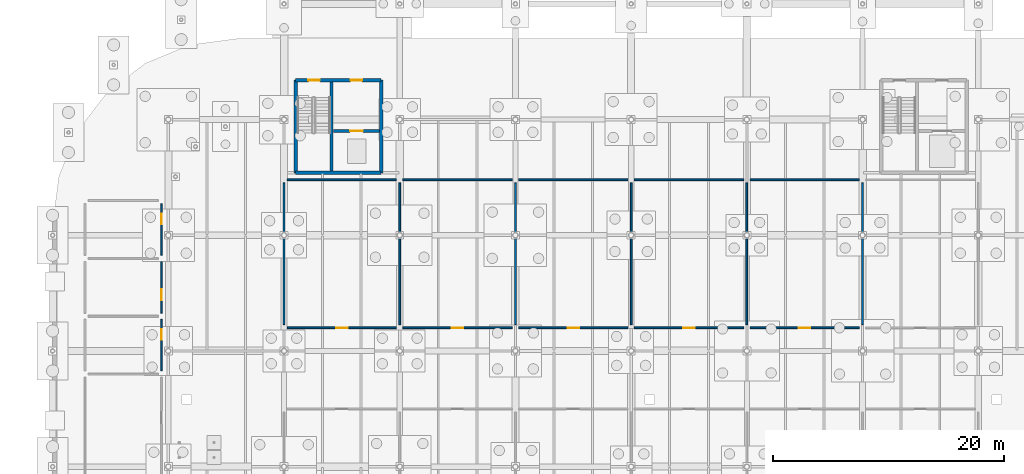
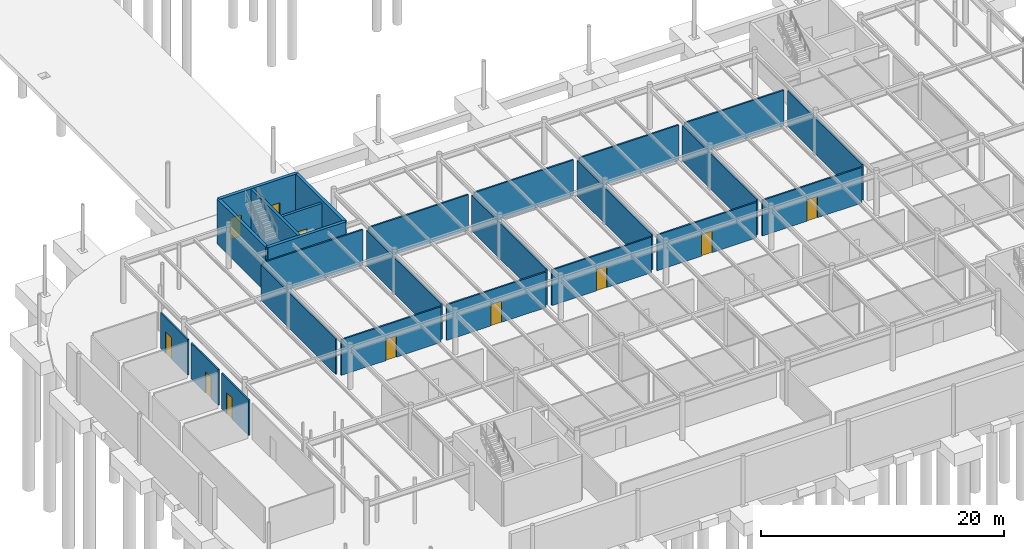
# One storey, part 63 of 75: 25 walls, 11 doors, 11 openings.
"""IFC4 building model written with IfcOpenShell, lengths in metres."""

from ifc_helpers import new_model, si_unit, derived_unit, direction, frame, frame_2d, origin, place, context, subcontext, project, spatial, rectangle, extrude, material, layer, layer_set, type_object, element, fill, save


model = new_model("IFC4")

# Units and contexts
model_context = context("Model", 3, precision=1e-05, world=origin(), true_north=direction((0.0, 1.0)))
body_context = subcontext(model_context, "Body", "Model", "MODEL_VIEW")
ifc_project = project(units=[si_unit("LENGTHUNIT", "METRE"), si_unit("AREAUNIT", "SQUARE_METRE"), si_unit("VOLUMEUNIT", "CUBIC_METRE"), si_unit("PLANEANGLEUNIT", "RADIAN"), si_unit("MASSUNIT", "GRAM", prefix="KILO"), derived_unit("THERMALTRANSMITTANCEUNIT", [(si_unit("POWERUNIT", "WATT"), 1), (si_unit("LENGTHUNIT", "METRE"), -2), (si_unit("THERMODYNAMICTEMPERATUREUNIT", "KELVIN"), -1)])], contexts=[model_context])

# Site, building, storey
site_placement = place(None, origin())
site = spatial("IfcSite", under=ifc_project, at=site_placement, CompositionType="ELEMENT")
building_placement = place(site_placement, origin())
building = spatial("IfcBuilding", under=site, at=building_placement, Name="Cinnabar Yard Market Hall", CompositionType="ELEMENT")
storey_placement = place(building_placement, frame((0.0, 0.0, -4.5)))
storey = spatial("IfcBuildingStorey", under=building, at=storey_placement, Name="B1", CompositionType="ELEMENT", Elevation=-4.5)

# Wall, opening, door
ifc_material_1 = material(Name="Moisture-resistant tiled service wall")
ifc_layer_1 = layer(ifc_material_1, 0.139892578125)
ifc_layer_set_1 = layer_set([ifc_layer_1], Name="Moisture-resistant tiled service wall")
wall_type_1 = type_object("IfcWallType", Name="WL-PT140", PredefinedType="PLUMBINGWALL", material=ifc_layer_set_1)
wall_1_placement = place(storey_placement, frame((75.39990234375, 42.280029296875, 0.0), z_axis=(0.0, 0.0, 1.0), x_axis=(0.0, 1.0, 0.0)))
wall_1 = element("IfcWall", 1, at=wall_1_placement, inside=storey, type_object=wall_type_1, Name="Partition Basement Male WC east", PredefinedType="PLUMBINGWALL", context=body_context, shape_type="SweptSolid", body=[
    extrude(rectangle(XDim=4.43994140625, YDim=0.139892578125, at=frame_2d((2.219970703125, 0.0), x_axis=(1.0, 0.0))), origin(), (0.0, 0.0, 1.0), 3.580078125),
])
opening_1_placement = place(wall_1_placement, frame((2.67529296875, 0.0, 0.0)))
opening_1 = element("IfcOpeningElement", 2, at=opening_1_placement, cuts=wall_1, Name="Opening ID-103", PredefinedType="OPENING", context=body_context, shape_type="SweptSolid", body=[
    extrude(rectangle(XDim=0.919921875, YDim=2.14990234375, at=frame_2d((0.4599609375, 1.074951171875), x_axis=(1.0, 0.0))), frame((0.0, 0.079833984375, 0.0), z_axis=(0.0, -1.0, 0.0), x_axis=(1.0, 0.0, 0.0)), (0.0, 0.0, 1.0), 0.159912109375),
])
ifc_material_2 = material(Name="Solid-core spotted gum timber", Category="wood")
door_type_1 = type_object("IfcDoorType", Name="DR-D07", OperationType="NOTDEFINED", PredefinedType="DOOR", material=ifc_material_2)
door_1_placement = place(opening_1_placement, origin())
door_1 = element("IfcDoor", 3, at=door_1_placement, inside=storey, type_object=door_type_1, Name="Interior Door ID-103", OperationType="SINGLE_SWING_RIGHT", OverallHeight=2.14990234375, OverallWidth=0.919921875, PredefinedType="DOOR", context=body_context, shape_type="SweptSolid", body=[
    extrude(rectangle(XDim=0.919921875, YDim=2.14990234375, at=frame_2d((0.4599609375, 1.074951171875), x_axis=(1.0, 0.0))), frame((0.0, 0.02490234375, 0.0), z_axis=(0.0, -1.0, 0.0), x_axis=(1.0, 0.0, 0.0)), (0.0, 0.0, 1.0), 0.050048828125),
])
fill(opening_1, door_1)

wall_2_placement = place(storey_placement, frame((75.39990234375, 47.280029296875, 0.0), z_axis=(0.0, 0.0, 1.0), x_axis=(0.0, 1.0, 0.0)))
wall_2 = element("IfcWall", 4, at=wall_2_placement, inside=storey, type_object=wall_type_1, Name="Partition Basement Female WC east", PredefinedType="PLUMBINGWALL", context=body_context, shape_type="SweptSolid", body=[
    extrude(rectangle(XDim=4.43994140625, YDim=0.139892578125, at=frame_2d((2.219970703125, 0.0), x_axis=(1.0, 0.0))), origin(), (0.0, 0.0, 1.0), 3.580078125),
])
opening_2_placement = place(wall_2_placement, frame((1.11669921875, 0.0, 0.0)))
opening_2 = element("IfcOpeningElement", 5, at=opening_2_placement, cuts=wall_2, Name="Opening ID-104", PredefinedType="OPENING", context=body_context, shape_type="SweptSolid", body=[
    extrude(rectangle(XDim=0.949951171875, YDim=2.14990234375, at=frame_2d((0.47509765625, 1.074951171875), x_axis=(1.0, 0.0))), frame((0.0, 0.079833984375, 0.0), z_axis=(0.0, -1.0, 0.0), x_axis=(1.0, 0.0, 0.0)), (0.0, 0.0, 1.0), 0.159912109375),
])
door_type_2 = type_object("IfcDoorType", Name="DR-D06", OperationType="NOTDEFINED", PredefinedType="DOOR", material=ifc_material_2)
door_2_placement = place(opening_2_placement, origin())
door_2 = element("IfcDoor", 6, at=door_2_placement, inside=storey, type_object=door_type_2, Name="Interior Door ID-104", OperationType="SINGLE_SWING_LEFT", OverallHeight=2.14990234375, OverallWidth=0.949951171875, PredefinedType="DOOR", context=body_context, shape_type="SweptSolid", body=[
    extrude(rectangle(XDim=0.949951171875, YDim=2.14990234375, at=frame_2d((0.47509765625, 1.074951171875), x_axis=(1.0, 0.0))), frame((0.0, 0.02490234375, 0.0), z_axis=(0.0, -1.0, 0.0), x_axis=(1.0, 0.0, 0.0)), (0.0, 0.0, 1.0), 0.050048828125),
])
fill(opening_2, door_2)

wall_3_placement = place(storey_placement, frame((75.39990234375, 52.280029296875, 0.0), z_axis=(0.0, 0.0, 1.0), x_axis=(0.0, 1.0, 0.0)))
wall_3 = element("IfcWall", 7, at=wall_3_placement, inside=storey, type_object=wall_type_1, Name="Partition Basement Accessible WC east", PredefinedType="PLUMBINGWALL", context=body_context, shape_type="SweptSolid", body=[
    extrude(rectangle(XDim=4.43994140625, YDim=0.139892578125, at=frame_2d((2.219970703125, 0.0), x_axis=(1.0, 0.0))), origin(), (0.0, 0.0, 1.0), 3.580078125),
])
opening_3_placement = place(wall_3_placement, frame((2.67529296875, 0.0, 0.0)))
opening_3 = element("IfcOpeningElement", 8, at=opening_3_placement, cuts=wall_3, Name="Opening ID-105", PredefinedType="OPENING", context=body_context, shape_type="SweptSolid", body=[
    extrude(rectangle(XDim=0.919921875, YDim=2.14990234375, at=frame_2d((0.4599609375, 1.074951171875), x_axis=(1.0, 0.0))), frame((0.0, 0.079833984375, 0.0), z_axis=(0.0, -1.0, 0.0), x_axis=(1.0, 0.0, 0.0)), (0.0, 0.0, 1.0), 0.159912109375),
])
door_3_placement = place(opening_3_placement, origin())
door_3 = element("IfcDoor", 9, at=door_3_placement, inside=storey, type_object=door_type_1, Name="Interior Door ID-105", OperationType="SINGLE_SWING_RIGHT", OverallHeight=2.14990234375, OverallWidth=0.919921875, PredefinedType="DOOR", context=body_context, shape_type="SweptSolid", body=[
    extrude(rectangle(XDim=0.919921875, YDim=2.14990234375, at=frame_2d((0.4599609375, 1.074951171875), x_axis=(1.0, 0.0))), frame((0.0, 0.02490234375, 0.0), z_axis=(0.0, -1.0, 0.0), x_axis=(1.0, 0.0, 0.0)), (0.0, 0.0, 1.0), 0.050048828125),
])
fill(opening_3, door_3)

ifc_material_3 = material(Name="Fire-rated steel-stud plasterboard", Category="steel")
ifc_layer_2 = layer(ifc_material_3, 0.14990234375)
ifc_layer_set_2 = layer_set([ifc_layer_2], Name="Fire-rated steel-stud plasterboard")
wall_type_2 = type_object("IfcWallType", Name="WL-PT150", PredefinedType="PARTITIONING", material=ifc_layer_set_2)
wall_4_placement = place(storey_placement, frame((86.280029296875, 46.0, 0.0), z_axis=(0.0, 0.0, 1.0), x_axis=(1.0, 0.0, 0.0)))
wall_4 = element("IfcWall", 10, at=wall_4_placement, inside=storey, type_object=wall_type_2, Name="Partition Chilled Produce Cold Store B11 south", PredefinedType="PARTITIONING", context=body_context, shape_type="SweptSolid", body=[
    extrude(rectangle(XDim=9.43994140625, YDim=0.14990234375, at=frame_2d((4.719970703125, 0.0), x_axis=(1.0, 0.0))), origin(), (0.0, 0.0, 1.0), 3.580078125),
])
opening_4_placement = place(wall_4_placement, frame((4.219970703125, 0.0, 0.0)))
opening_4 = element("IfcOpeningElement", 11, at=opening_4_placement, cuts=wall_4, Name="Opening ID-096", PredefinedType="OPENING", context=body_context, shape_type="SweptSolid", body=[
    extrude(rectangle(XDim=1.0, YDim=2.14990234375, at=frame_2d((0.5, 1.074951171875), x_axis=(1.0, 0.0))), frame((0.0, 0.0849609375, 0.0), z_axis=(0.0, -1.0, 0.0), x_axis=(1.0, 0.0, 0.0)), (0.0, 0.0, 1.0), 0.169921875),
])
door_type_3 = type_object("IfcDoorType", Name="DR-D05", OperationType="NOTDEFINED", PredefinedType="DOOR", material=ifc_material_2)
door_4_placement = place(opening_4_placement, origin())
door_4 = element("IfcDoor", 12, at=door_4_placement, inside=storey, type_object=door_type_3, Name="Interior Door ID-096", OperationType="SINGLE_SWING_LEFT", OverallHeight=2.14990234375, OverallWidth=1.0, PredefinedType="DOOR", context=body_context, shape_type="SweptSolid", body=[
    extrude(rectangle(XDim=1.0, YDim=2.14990234375, at=frame_2d((0.5, 1.074951171875), x_axis=(1.0, 0.0))), frame((0.0, 0.02490234375, 0.0), z_axis=(0.0, -1.0, 0.0), x_axis=(1.0, 0.0, 0.0)), (0.0, 0.0, 1.0), 0.050048828125),
])
fill(opening_4, door_4)

# Walls
wall_5_placement = place(storey_placement, frame((96.0, 46.280029296875, 0.0), z_axis=(0.0, 0.0, 1.0), x_axis=(0.0, 1.0, 0.0)))
element("IfcWall", 13, at=wall_5_placement, inside=storey, type_object=wall_type_2, Name="Partition Chilled Produce Cold Store B11 east", PredefinedType="PARTITIONING", context=body_context, shape_type="SweptSolid", body=[
    extrude(rectangle(XDim=12.239990234375, YDim=0.14990234375, at=frame_2d((6.1201171875, 0.0), x_axis=(1.0, 0.0))), origin(), (0.0, 0.0, 1.0), 3.580078125),
])
wall_6_placement = place(storey_placement, frame((95.719970703125, 58.800048828125, 0.0), z_axis=(0.0, 0.0, 1.0), x_axis=(-1.0, 0.0, 0.0)))
element("IfcWall", 14, at=wall_6_placement, inside=storey, type_object=wall_type_2, Name="Partition Chilled Produce Cold Store B11 north", PredefinedType="PARTITIONING", context=body_context, shape_type="SweptSolid", body=[
    extrude(rectangle(XDim=9.43994140625, YDim=0.14990234375, at=frame_2d((4.719970703125, 0.0), x_axis=(1.0, 0.0))), origin(), (0.0, 0.0, 1.0), 3.580078125),
])
wall_7_placement = place(storey_placement, frame((86.0, 58.52001953125, 0.0), z_axis=(0.0, 0.0, 1.0), x_axis=(0.0, -1.0, 0.0)))
element("IfcWall", 15, at=wall_7_placement, inside=storey, type_object=wall_type_2, Name="Partition Chilled Produce Cold Store B11 west", PredefinedType="PARTITIONING", context=body_context, shape_type="SweptSolid", body=[
    extrude(rectangle(XDim=12.239990234375, YDim=0.14990234375, at=frame_2d((6.1201171875, 0.0), x_axis=(1.0, 0.0))), origin(), (0.0, 0.0, 1.0), 3.580078125),
])

# Wall, opening, door
wall_8_placement = place(storey_placement, frame((96.280029296875, 46.0, 0.0), z_axis=(0.0, 0.0, 1.0), x_axis=(1.0, 0.0, 0.0)))
wall_8 = element("IfcWall", 16, at=wall_8_placement, inside=storey, type_object=wall_type_2, Name="Partition Meat and Poultry Cold Store B12 south", PredefinedType="PARTITIONING", context=body_context, shape_type="SweptSolid", body=[
    extrude(rectangle(XDim=9.43994140625, YDim=0.14990234375, at=frame_2d((4.719970703125, 0.0), x_axis=(1.0, 0.0))), origin(), (0.0, 0.0, 1.0), 3.580078125),
])
opening_5_placement = place(wall_8_placement, frame((4.219970703125, 0.0, 0.0)))
opening_5 = element("IfcOpeningElement", 17, at=opening_5_placement, cuts=wall_8, Name="Opening ID-097", PredefinedType="OPENING", context=body_context, shape_type="SweptSolid", body=[
    extrude(rectangle(XDim=1.0, YDim=2.14990234375, at=frame_2d((0.5, 1.074951171875), x_axis=(1.0, 0.0))), frame((0.0, 0.0849609375, 0.0), z_axis=(0.0, -1.0, 0.0), x_axis=(1.0, 0.0, 0.0)), (0.0, 0.0, 1.0), 0.169921875),
])
door_5_placement = place(opening_5_placement, origin())
door_5 = element("IfcDoor", 18, at=door_5_placement, inside=storey, type_object=door_type_3, Name="Interior Door ID-097", OperationType="SINGLE_SWING_RIGHT", OverallHeight=2.14990234375, OverallWidth=1.0, PredefinedType="DOOR", context=body_context, shape_type="SweptSolid", body=[
    extrude(rectangle(XDim=1.0, YDim=2.14990234375, at=frame_2d((0.5, 1.074951171875), x_axis=(1.0, 0.0))), frame((0.0, 0.02490234375, 0.0), z_axis=(0.0, -1.0, 0.0), x_axis=(1.0, 0.0, 0.0)), (0.0, 0.0, 1.0), 0.050048828125),
])
fill(opening_5, door_5)

# Walls
wall_9_placement = place(storey_placement, frame((106.0, 46.280029296875, 0.0), z_axis=(0.0, 0.0, 1.0), x_axis=(0.0, 1.0, 0.0)))
element("IfcWall", 19, at=wall_9_placement, inside=storey, type_object=wall_type_2, Name="Partition Meat and Poultry Cold Store B12 east", PredefinedType="PARTITIONING", context=body_context, shape_type="SweptSolid", body=[
    extrude(rectangle(XDim=12.239990234375, YDim=0.14990234375, at=frame_2d((6.1201171875, 0.0), x_axis=(1.0, 0.0))), origin(), (0.0, 0.0, 1.0), 3.580078125),
])
wall_10_placement = place(storey_placement, frame((105.719970703125, 58.800048828125, 0.0), z_axis=(0.0, 0.0, 1.0), x_axis=(-1.0, 0.0, 0.0)))
element("IfcWall", 20, at=wall_10_placement, inside=storey, type_object=wall_type_2, Name="Partition Meat and Poultry Cold Store B12 north", PredefinedType="PARTITIONING", context=body_context, shape_type="SweptSolid", body=[
    extrude(rectangle(XDim=9.43994140625, YDim=0.14990234375, at=frame_2d((4.719970703125, 0.0), x_axis=(1.0, 0.0))), origin(), (0.0, 0.0, 1.0), 3.580078125),
])

# Wall, opening, door
wall_11_placement = place(storey_placement, frame((106.280029296875, 46.0, 0.0), z_axis=(0.0, 0.0, 1.0), x_axis=(1.0, 0.0, 0.0)))
wall_11 = element("IfcWall", 21, at=wall_11_placement, inside=storey, type_object=wall_type_2, Name="Partition Seafood Ice and Chiller Cold Store B13 south", PredefinedType="PARTITIONING", context=body_context, shape_type="SweptSolid", body=[
    extrude(rectangle(XDim=9.43994140625, YDim=0.14990234375, at=frame_2d((4.719970703125, 0.0), x_axis=(1.0, 0.0))), origin(), (0.0, 0.0, 1.0), 3.580078125),
])
opening_6_placement = place(wall_11_placement, frame((4.219970703125, 0.0, 0.0)))
opening_6 = element("IfcOpeningElement", 22, at=opening_6_placement, cuts=wall_11, Name="Opening ID-098", PredefinedType="OPENING", context=body_context, shape_type="SweptSolid", body=[
    extrude(rectangle(XDim=1.0, YDim=2.14990234375, at=frame_2d((0.5, 1.074951171875), x_axis=(1.0, 0.0))), frame((0.0, 0.0849609375, 0.0), z_axis=(0.0, -1.0, 0.0), x_axis=(1.0, 0.0, 0.0)), (0.0, 0.0, 1.0), 0.169921875),
])
door_6_placement = place(opening_6_placement, origin())
door_6 = element("IfcDoor", 23, at=door_6_placement, inside=storey, type_object=door_type_3, Name="Interior Door ID-098", OperationType="SINGLE_SWING_LEFT", OverallHeight=2.14990234375, OverallWidth=1.0, PredefinedType="DOOR", context=body_context, shape_type="SweptSolid", body=[
    extrude(rectangle(XDim=1.0, YDim=2.14990234375, at=frame_2d((0.5, 1.074951171875), x_axis=(1.0, 0.0))), frame((0.0, 0.02490234375, 0.0), z_axis=(0.0, -1.0, 0.0), x_axis=(1.0, 0.0, 0.0)), (0.0, 0.0, 1.0), 0.050048828125),
])
fill(opening_6, door_6)

# Walls
wall_12_placement = place(storey_placement, frame((116.0, 46.280029296875, 0.0), z_axis=(0.0, 0.0, 1.0), x_axis=(0.0, 1.0, 0.0)))
element("IfcWall", 24, at=wall_12_placement, inside=storey, type_object=wall_type_2, Name="Partition Seafood Ice and Chiller Cold Store B13 east", PredefinedType="PARTITIONING", context=body_context, shape_type="SweptSolid", body=[
    extrude(rectangle(XDim=12.239990234375, YDim=0.14990234375, at=frame_2d((6.1201171875, 0.0), x_axis=(1.0, 0.0))), origin(), (0.0, 0.0, 1.0), 3.580078125),
])
wall_13_placement = place(storey_placement, frame((115.719970703125, 58.800048828125, 0.0), z_axis=(0.0, 0.0, 1.0), x_axis=(-1.0, 0.0, 0.0)))
element("IfcWall", 25, at=wall_13_placement, inside=storey, type_object=wall_type_2, Name="Partition Seafood Ice and Chiller Cold Store B13 north", PredefinedType="PARTITIONING", context=body_context, shape_type="SweptSolid", body=[
    extrude(rectangle(XDim=9.43994140625, YDim=0.14990234375, at=frame_2d((4.719970703125, 0.0), x_axis=(1.0, 0.0))), origin(), (0.0, 0.0, 1.0), 3.580078125),
])

# Wall, opening, door
wall_14_placement = place(storey_placement, frame((116.280029296875, 46.0, 0.0), z_axis=(0.0, 0.0, 1.0), x_axis=(1.0, 0.0, 0.0)))
wall_14 = element("IfcWall", 26, at=wall_14_placement, inside=storey, type_object=wall_type_2, Name="Partition Dairy and Ferments Cold Store B14 south", PredefinedType="PARTITIONING", context=body_context, shape_type="SweptSolid", body=[
    extrude(rectangle(XDim=9.43994140625, YDim=0.14990234375, at=frame_2d((4.719970703125, 0.0), x_axis=(1.0, 0.0))), origin(), (0.0, 0.0, 1.0), 3.580078125),
])
opening_7_placement = place(wall_14_placement, frame((4.219970703125, 0.0, 0.0)))
opening_7 = element("IfcOpeningElement", 27, at=opening_7_placement, cuts=wall_14, Name="Opening ID-099", PredefinedType="OPENING", context=body_context, shape_type="SweptSolid", body=[
    extrude(rectangle(XDim=1.0, YDim=2.14990234375, at=frame_2d((0.5, 1.074951171875), x_axis=(1.0, 0.0))), frame((0.0, 0.0849609375, 0.0), z_axis=(0.0, -1.0, 0.0), x_axis=(1.0, 0.0, 0.0)), (0.0, 0.0, 1.0), 0.169921875),
])
door_7_placement = place(opening_7_placement, origin())
door_7 = element("IfcDoor", 28, at=door_7_placement, inside=storey, type_object=door_type_3, Name="Interior Door ID-099", OperationType="SINGLE_SWING_RIGHT", OverallHeight=2.14990234375, OverallWidth=1.0, PredefinedType="DOOR", context=body_context, shape_type="SweptSolid", body=[
    extrude(rectangle(XDim=1.0, YDim=2.14990234375, at=frame_2d((0.5, 1.074951171875), x_axis=(1.0, 0.0))), frame((0.0, 0.02490234375, 0.0), z_axis=(0.0, -1.0, 0.0), x_axis=(1.0, 0.0, 0.0)), (0.0, 0.0, 1.0), 0.050048828125),
])
fill(opening_7, door_7)

# Walls
wall_15_placement = place(storey_placement, frame((126.0, 46.280029296875, 0.0), z_axis=(0.0, 0.0, 1.0), x_axis=(0.0, 1.0, 0.0)))
element("IfcWall", 29, at=wall_15_placement, inside=storey, type_object=wall_type_2, Name="Partition Dairy and Ferments Cold Store B14 east", PredefinedType="PARTITIONING", context=body_context, shape_type="SweptSolid", body=[
    extrude(rectangle(XDim=12.239990234375, YDim=0.14990234375, at=frame_2d((6.1201171875, 0.0), x_axis=(1.0, 0.0))), origin(), (0.0, 0.0, 1.0), 3.580078125),
])
wall_16_placement = place(storey_placement, frame((125.719970703125, 58.800048828125, 0.0), z_axis=(0.0, 0.0, 1.0), x_axis=(-1.0, 0.0, 0.0)))
element("IfcWall", 30, at=wall_16_placement, inside=storey, type_object=wall_type_2, Name="Partition Dairy and Ferments Cold Store B14 north", PredefinedType="PARTITIONING", context=body_context, shape_type="SweptSolid", body=[
    extrude(rectangle(XDim=9.43994140625, YDim=0.14990234375, at=frame_2d((4.719970703125, 0.0), x_axis=(1.0, 0.0))), origin(), (0.0, 0.0, 1.0), 3.580078125),
])

# Wall, opening, door
wall_17_placement = place(storey_placement, frame((126.280029296875, 46.0, 0.0), z_axis=(0.0, 0.0, 1.0), x_axis=(1.0, 0.0, 0.0)))
wall_17 = element("IfcWall", 31, at=wall_17_placement, inside=storey, type_object=wall_type_2, Name="Partition Deep Freeze Cold Store B15 south", PredefinedType="PARTITIONING", context=body_context, shape_type="SweptSolid", body=[
    extrude(rectangle(XDim=9.43994140625, YDim=0.14990234375, at=frame_2d((4.719970703125, 0.0), x_axis=(1.0, 0.0))), origin(), (0.0, 0.0, 1.0), 3.580078125),
])
opening_8_placement = place(wall_17_placement, frame((4.219970703125, 0.0, 0.0)))
opening_8 = element("IfcOpeningElement", 32, at=opening_8_placement, cuts=wall_17, Name="Opening ID-100", PredefinedType="OPENING", context=body_context, shape_type="SweptSolid", body=[
    extrude(rectangle(XDim=1.0, YDim=2.14990234375, at=frame_2d((0.5, 1.074951171875), x_axis=(1.0, 0.0))), frame((0.0, 0.0849609375, 0.0), z_axis=(0.0, -1.0, 0.0), x_axis=(1.0, 0.0, 0.0)), (0.0, 0.0, 1.0), 0.169921875),
])
door_8_placement = place(opening_8_placement, origin())
door_8 = element("IfcDoor", 33, at=door_8_placement, inside=storey, type_object=door_type_3, Name="Interior Door ID-100", OperationType="SINGLE_SWING_LEFT", OverallHeight=2.14990234375, OverallWidth=1.0, PredefinedType="DOOR", context=body_context, shape_type="SweptSolid", body=[
    extrude(rectangle(XDim=1.0, YDim=2.14990234375, at=frame_2d((0.5, 1.074951171875), x_axis=(1.0, 0.0))), frame((0.0, 0.02490234375, 0.0), z_axis=(0.0, -1.0, 0.0), x_axis=(1.0, 0.0, 0.0)), (0.0, 0.0, 1.0), 0.050048828125),
])
fill(opening_8, door_8)

# Walls
wall_18_placement = place(storey_placement, frame((136.0, 46.280029296875, 0.0), z_axis=(0.0, 0.0, 1.0), x_axis=(0.0, 1.0, 0.0)))
element("IfcWall", 34, at=wall_18_placement, inside=storey, type_object=wall_type_2, Name="Partition Deep Freeze Cold Store B15 east", PredefinedType="PARTITIONING", context=body_context, shape_type="SweptSolid", body=[
    extrude(rectangle(XDim=12.239990234375, YDim=0.14990234375, at=frame_2d((6.1201171875, 0.0), x_axis=(1.0, 0.0))), origin(), (0.0, 0.0, 1.0), 3.580078125),
])
wall_19_placement = place(storey_placement, frame((135.719970703125, 58.800048828125, 0.0), z_axis=(0.0, 0.0, 1.0), x_axis=(-1.0, 0.0, 0.0)))
element("IfcWall", 35, at=wall_19_placement, inside=storey, type_object=wall_type_2, Name="Partition Deep Freeze Cold Store B15 north", PredefinedType="PARTITIONING", context=body_context, shape_type="SweptSolid", body=[
    extrude(rectangle(XDim=9.43994140625, YDim=0.14990234375, at=frame_2d((4.719970703125, 0.0), x_axis=(1.0, 0.0))), origin(), (0.0, 0.0, 1.0), 3.580078125),
])
ifc_material_4 = material(Name="Concrete 40 MPa", Category="concrete")
ifc_layer_3 = layer(ifc_material_4, 0.300048828125)
ifc_layer_set_3 = layer_set([ifc_layer_3], Name="Concrete 40 MPa")
wall_type_3 = type_object("IfcWallType", Name="WL-W-CORE", PredefinedType="SHEAR", material=ifc_layer_set_3)
for number, where, z_axis, x_axis, name in (
    (36, (87.0, 67.39990234375, 0.0), (0.0, 0.0, 1.0), (0.0, -1.0, 0.0), "Core C3 West Shear Wall B1"),
    (37, (94.39990234375, 59.39990234375, 0.0), (0.0, 0.0, 1.0), (0.0, 1.0, 0.0), "Core C3 East Shear Wall B1"),
):
    element("IfcWall", number, at=place(storey_placement, frame(where, z_axis=z_axis, x_axis=x_axis)), inside=storey, type_object=wall_type_3, Name=name, PredefinedType="SHEAR", context=body_context, shape_type="SweptSolid", body=[
        extrude(rectangle(XDim=8.0, YDim=0.300048828125, at=frame_2d((4.0, 0.0), x_axis=(1.0, 0.0))), origin(), (0.0, 0.0, 1.0), 4.5),
    ])
wall_20_placement = place(storey_placement, frame((87.0, 59.39990234375, 0.0), z_axis=(0.0, 0.0, 1.0), x_axis=(1.0, 0.0, 0.0)))
element("IfcWall", 38, at=wall_20_placement, inside=storey, type_object=wall_type_3, Name="Core C3 South Shear Wall B1", PredefinedType="SHEAR", context=body_context, shape_type="SweptSolid", body=[
    extrude(rectangle(XDim=7.39990234375, YDim=0.300048828125, at=frame_2d((3.699951171875, 0.0), x_axis=(1.0, 0.0))), origin(), (0.0, 0.0, 1.0), 4.5),
])

# Wall, openings, doors
wall_21_placement = place(storey_placement, frame((94.39990234375, 67.39990234375, 0.0), z_axis=(0.0, 0.0, 1.0), x_axis=(-1.0, 0.0, 0.0)))
wall_21 = element("IfcWall", 39, at=wall_21_placement, inside=storey, type_object=wall_type_3, Name="Core C3 North Shear Wall B1", PredefinedType="SHEAR", context=body_context, shape_type="SweptSolid", body=[
    extrude(rectangle(XDim=7.39990234375, YDim=0.300048828125, at=frame_2d((3.699951171875, 0.0), x_axis=(1.0, 0.0))), origin(), (0.0, 0.0, 1.0), 4.5),
])
opening_9_placement = place(wall_21_placement, frame((1.64990234375, 0.0, 0.0)))
opening_9 = element("IfcOpeningElement", 40, at=opening_9_placement, cuts=wall_21, Name="Opening CD-017", PredefinedType="OPENING", context=body_context, shape_type="SweptSolid", body=[
    extrude(rectangle(XDim=1.0, YDim=2.14990234375, at=frame_2d((0.5, 1.074951171875), x_axis=(1.0, 0.0))), frame((0.0, 0.159912109375, 0.0), z_axis=(0.0, -1.0, 0.0), x_axis=(1.0, 0.0, 0.0)), (0.0, 0.0, 1.0), 0.320068359375),
])
opening_10_placement = place(wall_21_placement, frame((5.300048828125, 0.0, 0.0)))
opening_10 = element("IfcOpeningElement", 41, at=opening_10_placement, cuts=wall_21, Name="Opening CD-018", PredefinedType="OPENING", context=body_context, shape_type="SweptSolid", body=[
    extrude(rectangle(XDim=1.0, YDim=2.14990234375, at=frame_2d((0.5, 1.074951171875), x_axis=(1.0, 0.0))), frame((0.0, 0.159912109375, 0.0), z_axis=(0.0, -1.0, 0.0), x_axis=(1.0, 0.0, 0.0)), (0.0, 0.0, 1.0), 0.320068359375),
])
door_9_placement = place(opening_9_placement, origin())
door_9 = element("IfcDoor", 42, at=door_9_placement, inside=storey, type_object=door_type_3, Name="Core Door CD-017", OperationType="SINGLE_SWING_RIGHT", OverallHeight=2.14990234375, OverallWidth=1.0, PredefinedType="DOOR", context=body_context, shape_type="SweptSolid", body=[
    extrude(rectangle(XDim=1.0, YDim=2.14990234375, at=frame_2d((0.5, 1.074951171875), x_axis=(1.0, 0.0))), frame((0.0, 0.02490234375, 0.0), z_axis=(0.0, -1.0, 0.0), x_axis=(1.0, 0.0, 0.0)), (0.0, 0.0, 1.0), 0.050048828125),
])
fill(opening_9, door_9)
door_10_placement = place(opening_10_placement, origin())
door_10 = element("IfcDoor", 43, at=door_10_placement, inside=storey, type_object=door_type_3, Name="Core Door CD-018", OperationType="SINGLE_SWING_LEFT", OverallHeight=2.14990234375, OverallWidth=1.0, PredefinedType="DOOR", context=body_context, shape_type="SweptSolid", body=[
    extrude(rectangle(XDim=1.0, YDim=2.14990234375, at=frame_2d((0.5, 1.074951171875), x_axis=(1.0, 0.0))), frame((0.0, 0.02490234375, 0.0), z_axis=(0.0, -1.0, 0.0), x_axis=(1.0, 0.0, 0.0)), (0.0, 0.0, 1.0), 0.050048828125),
])
fill(opening_10, door_10)

# Wall
ifc_layer_4 = layer(ifc_material_4, 0.25)
ifc_layer_set_4 = layer_set([ifc_layer_4], Name="Concrete 40 MPa")
wall_type_4 = type_object("IfcWallType", Name="WL-W-SHAFT", PredefinedType="SHEAR", material=ifc_layer_set_4)
wall_22_placement = place(storey_placement, frame((90.114990234375, 59.550048828125, 0.0), z_axis=(0.0, 0.0, 1.0), x_axis=(0.0, 1.0, 0.0)))
element("IfcWall", 44, at=wall_22_placement, inside=storey, type_object=wall_type_4, Name="Core C3 Shaft Divider B1", PredefinedType="SHEAR", context=body_context, shape_type="SweptSolid", body=[
    extrude(rectangle(XDim=7.699951171875, YDim=0.25, at=frame_2d((3.85009765625, 0.0), x_axis=(1.0, 0.0))), origin(), (0.0, 0.0, 1.0), 4.5),
])

# Wall, opening, door
wall_23_placement = place(storey_placement, frame((90.280029296875, 63.02001953125, 0.0), z_axis=(0.0, 0.0, 1.0), x_axis=(1.0, 0.0, 0.0)))
wall_23 = element("IfcWall", 45, at=wall_23_placement, inside=storey, type_object=wall_type_4, Name="Core C3 Lift Front Wall B1", PredefinedType="SHEAR", context=body_context, shape_type="SweptSolid", body=[
    extrude(rectangle(XDim=3.969970703125, YDim=0.25, at=frame_2d((1.98486328125, 0.0), x_axis=(1.0, 0.0))), origin(), (0.0, 0.0, 1.0), 4.199951171875),
])
opening_11_placement = place(wall_23_placement, frame((1.43505859375, 0.0, 0.0)))
opening_11 = element("IfcOpeningElement", 46, at=opening_11_placement, cuts=wall_23, Name="Opening LD-LP-02-B1", PredefinedType="OPENING", context=body_context, shape_type="SweptSolid", body=[
    extrude(rectangle(XDim=1.10009765625, YDim=2.14990234375, at=frame_2d((0.550048828125, 1.074951171875), x_axis=(1.0, 0.0))), frame((0.0, 0.135009765625, 0.0), z_axis=(0.0, -1.0, 0.0), x_axis=(1.0, 0.0, 0.0)), (0.0, 0.0, 1.0), 0.27001953125),
])
ifc_material_5 = material(Name="Brushed stainless steel landing door", Category="steel")
door_type_4 = type_object("IfcDoorType", Name="DR-LD01", OperationType="NOTDEFINED", PredefinedType="DOOR", material=ifc_material_5)
door_11_placement = place(opening_11_placement, origin())
door_11 = element("IfcDoor", 47, at=door_11_placement, inside=storey, type_object=door_type_4, Name="Lift Landing Door LD-LP-02-B1", OperationType="SLIDING_TO_LEFT", OverallHeight=2.14990234375, OverallWidth=1.10009765625, PredefinedType="DOOR", context=body_context, shape_type="SweptSolid", body=[
    extrude(rectangle(XDim=1.10009765625, YDim=2.14990234375, at=frame_2d((0.550048828125, 1.074951171875), x_axis=(1.0, 0.0))), frame((0.0, 0.02490234375, 0.0), z_axis=(0.0, -1.0, 0.0), x_axis=(1.0, 0.0, 0.0)), (0.0, 0.0, 1.0), 0.050048828125),
])
fill(opening_11, door_11)

save(model, "model.ifc")
